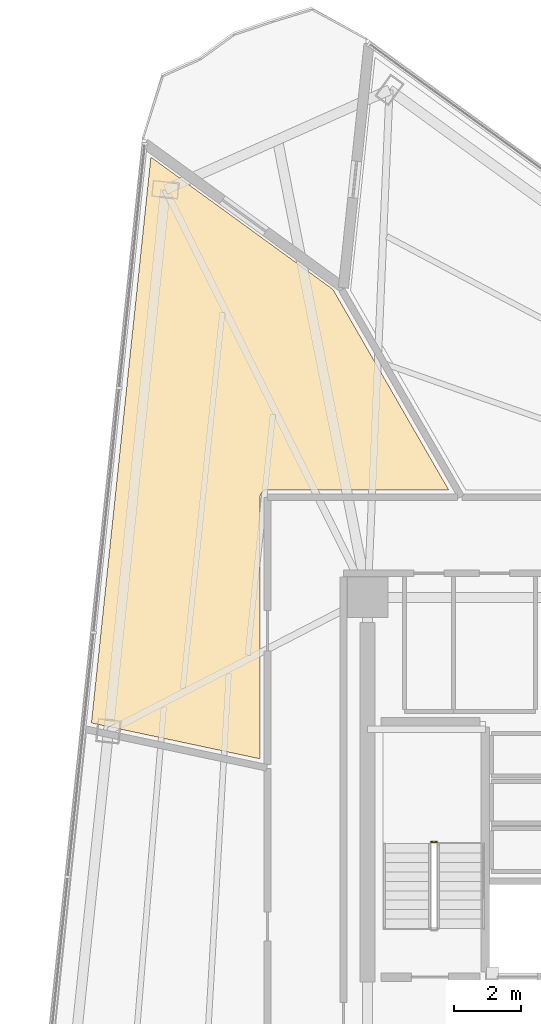
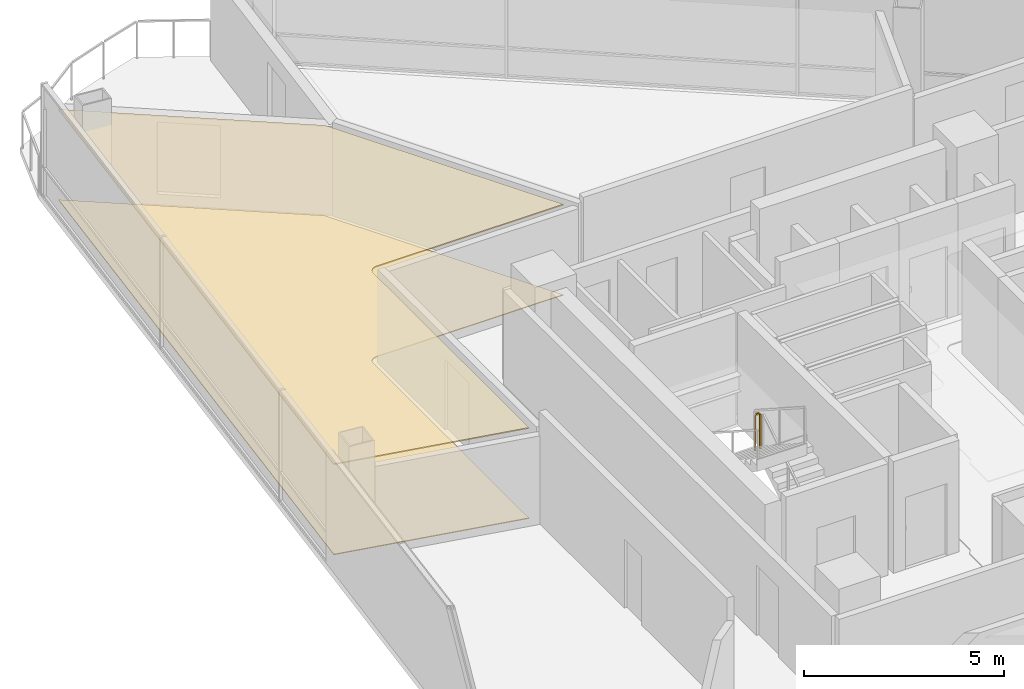
# One storey, part 17 of 19: 2 coverings, 1 railing.
"""IFC4 building model written with IfcOpenShell, lengths in metres."""

from ifc_helpers import new_model, si_unit, direction, frame, origin, origin_2d, place, context, subcontext, project, spatial, polyline, rectangle, outline, extrude, material, layer, layer_set, type_object, element, save


model = new_model("IFC4")

# Units and contexts
model_context = context("Model", 3, precision=1e-05, world=origin(), true_north=direction((0.0, 1.0)))
body_context = subcontext(model_context, "Body", "Model", "MODEL_VIEW")
ifc_project = project(units=[si_unit("LENGTHUNIT", "METRE"), si_unit("AREAUNIT", "SQUARE_METRE"), si_unit("VOLUMEUNIT", "CUBIC_METRE"), si_unit("PLANEANGLEUNIT", "RADIAN"), si_unit("MASSUNIT", "GRAM", prefix="KILO")], contexts=[model_context])

# Site, building, storey
site_placement = place(None, origin())
site = spatial("IfcSite", under=ifc_project, at=site_placement, CompositionType="ELEMENT")
building_placement = place(site_placement, origin())
building = spatial("IfcBuilding", under=site, at=building_placement, Name="Tharavind Bronze Gate", CompositionType="ELEMENT")
storey_placement = place(building_placement, frame((0.0, 0.0, 126.85009765625)))
storey = spatial("IfcBuildingStorey", under=building, at=storey_placement, Name="L32", CompositionType="ELEMENT", Elevation=126.85009765625)

# Coverings
ifc_material_1 = material(Name="Perforated Bronze Acoustic Panel", Category="bronze")
ifc_layer_1 = layer(ifc_material_1, 0.044921875)
ifc_layer_set_1 = layer_set([ifc_layer_1], Name="Perforated Bronze Acoustic Panel")
covering_type_1 = type_object("IfcCoveringType", Name="ACOUSTIC BRONZE BAFFLE CEILING", PredefinedType="CEILING", material=ifc_layer_set_1)
covering_1_placement = place(storey_placement, frame((0.0, 0.0, 2.75)))
element("IfcCovering", 1, at=covering_1_placement, inside=storey, type_object=covering_type_1, Name="L32-RM-03 suspended ceiling", PredefinedType="CEILING", context=body_context, shape_type="SweptSolid", body=[
    extrude(outline(polyline([(-12.10009765625, 2.796875), (-12.10009765625, 10.579345703125), (-12.099609375, 10.590087890625), (-12.099609375, 10.5908203125), (-12.09765625, 10.6123046875), (-12.093505859375, 10.63330078125), (-12.087158203125, 10.654052734375), (-12.078857421875, 10.674072265625), (-12.068603515625, 10.693115234375), (-12.056640625, 10.7109375), (-12.04296875, 10.727783203125), (-12.027587890625, 10.742919921875), (-12.010986328125, 10.756591796875), (-11.9931640625, 10.768798828125), (-11.97412109375, 10.77880859375), (-11.9541015625, 10.787109375), (-11.933349609375, 10.79345703125), (-11.912353515625, 10.797607421875), (-11.890869140625, 10.7998046875), (-11.89013671875, 10.7998046875), (-11.87939453125, 10.800048828125), (-6.489501953125, 10.800048828125), (-9.93359375, 16.765380859375), (-15.3486328125, 20.69970703125), (-17.1181640625, 3.863525390625), (-12.10009765625, 2.796875)])), origin(), (0.0, 0.0, 1.0), 0.034912109375),
])
ifc_material_2 = material(Name="Engineered Oak & Carpet Tile", Category="wood")
ifc_layer_2 = layer(ifc_material_2, 0.02490234375)
ifc_layer_set_2 = layer_set([ifc_layer_2], Name="Engineered Oak & Carpet Tile")
covering_type_2 = type_object("IfcCoveringType", Name="ENGINEERED TIMBER FLOORING", PredefinedType="FLOORING", material=ifc_layer_set_2)
covering_2_placement = place(storey_placement, origin())
element("IfcCovering", 2, at=covering_2_placement, inside=storey, type_object=covering_type_2, Name="L32-RM-03 floor finish", PredefinedType="FLOORING", context=body_context, shape_type="SweptSolid", body=[
    extrude(outline(polyline([(-12.10009765625, 2.796875), (-12.10009765625, 10.579345703125), (-12.099609375, 10.590087890625), (-12.099609375, 10.5908203125), (-12.09765625, 10.6123046875), (-12.093505859375, 10.63330078125), (-12.087158203125, 10.654052734375), (-12.078857421875, 10.674072265625), (-12.068603515625, 10.693115234375), (-12.056640625, 10.7109375), (-12.04296875, 10.727783203125), (-12.027587890625, 10.742919921875), (-12.010986328125, 10.756591796875), (-11.9931640625, 10.768798828125), (-11.97412109375, 10.77880859375), (-11.9541015625, 10.787109375), (-11.933349609375, 10.79345703125), (-11.912353515625, 10.797607421875), (-11.890869140625, 10.7998046875), (-11.89013671875, 10.7998046875), (-11.87939453125, 10.800048828125), (-6.489501953125, 10.800048828125), (-9.93359375, 16.765380859375), (-15.3486328125, 20.69970703125), (-17.1181640625, 3.863525390625), (-12.10009765625, 2.796875)])), origin(), (0.0, 0.0, 1.0), 0.02490234375),
])

# Railing
ifc_material_3 = material(Name="Brushed Bronze Alloy", Category="metal")
railing_type = type_object("IfcRailingType", Name="STAIR WELL GUARD RAILING 1120", PredefinedType="GUARDRAIL", material=ifc_material_3)
railing_placement = place(storey_placement, frame((-6.85009765625, 0.320068359375, 1.7998046875)))
element("IfcRailing", 3, at=railing_placement, inside=storey, type_object=railing_type, Name="L32 ST1 stair guard 2", PredefinedType="GUARDRAIL", context=body_context, shape_type="SweptSolid", body=[
    extrude(rectangle(XDim=0.048095703125, YDim=0.048095703125, at=origin_2d()), frame((-0.031982421875, 0.0, 1.09619140625), z_axis=(-1.0, 0.0, 0.0), x_axis=(0.0, -1.0, 0.0)), (0.0, 0.0, 1.0), 0.0859375),
    extrude(rectangle(XDim=0.0400390625, YDim=0.0400390625, at=origin_2d()), origin(), (0.0, 0.0, 1.0), 1.068115234375),
    extrude(rectangle(XDim=0.0400390625, YDim=0.0400390625, at=origin_2d()), frame((-0.14990234375, 0.0, 0.0)), (0.0, 0.0, 1.0), 1.068115234375),
])

save(model, "model.ifc")
